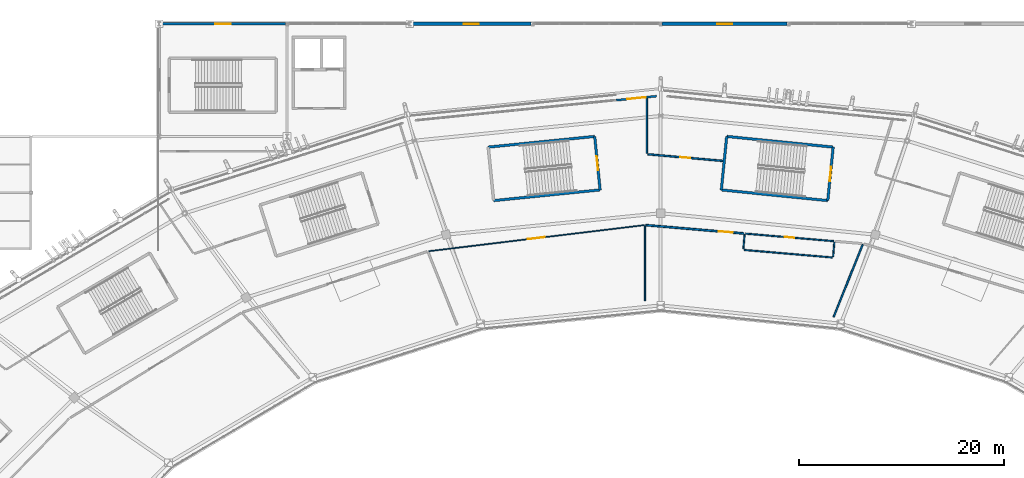
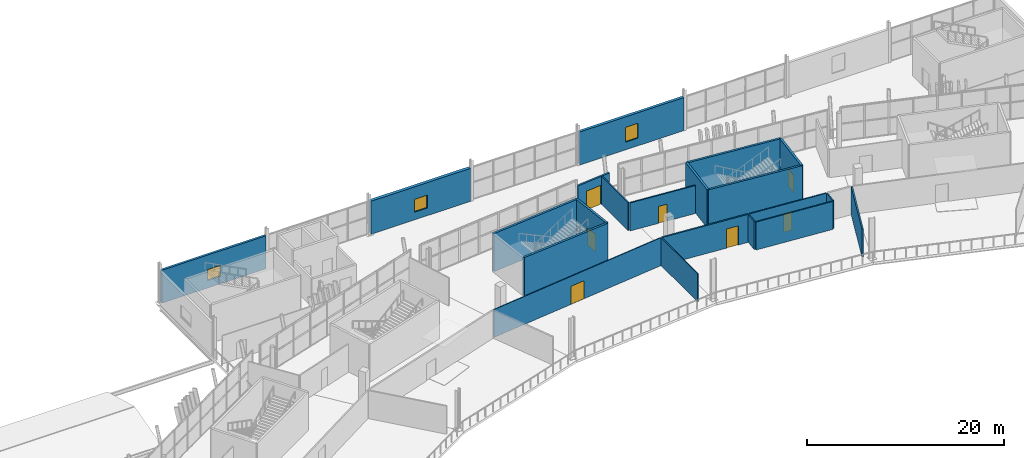
# One storey, part 134 of 179: 21 walls, 7 doors, 3 windows, 10 openings.
"""IFC4 building model written with IfcOpenShell, lengths in metres."""

from ifc_helpers import new_model, si_unit, direction, frame, frame_2d, origin, place, context, subcontext, project, spatial, rectangle, extrude, material, layer, layer_set, type_object, element, fill, save


model = new_model("IFC4")

# Units and contexts
model_context = context("Model", 3, precision=1e-05, world=origin(), true_north=direction((0.0, 1.0)))
body_context = subcontext(model_context, "Body", "Model", "MODEL_VIEW")
ifc_project = project(units=[si_unit("LENGTHUNIT", "METRE"), si_unit("AREAUNIT", "SQUARE_METRE"), si_unit("VOLUMEUNIT", "CUBIC_METRE"), si_unit("PLANEANGLEUNIT", "RADIAN"), si_unit("MASSUNIT", "GRAM", prefix="KILO")], contexts=[model_context])

# Site, building, storey
site_placement = place(None, origin())
site = spatial("IfcSite", under=ifc_project, at=site_placement, CompositionType="ELEMENT")
building_placement = place(site_placement, origin())
building = spatial("IfcBuilding", under=site, at=building_placement, Name="Zlatoyarsky Gate Stadium", CompositionType="ELEMENT")
storey_placement = place(building_placement, frame((0.0, 0.0, 10.60009765625)))
storey = spatial("IfcBuildingStorey", under=building, at=storey_placement, Name="L02", CompositionType="ELEMENT", Elevation=10.60009765625)

# Wall
ifc_material_1 = material(Name="Anodised aluminium acoustic operable wall", Category="aluminium")
ifc_layer_1 = layer(ifc_material_1, 0.114990234375)
ifc_layer_set_1 = layer_set([ifc_layer_1], Name="Anodised aluminium acoustic operable wall")
wall_type_1 = type_object("IfcWallType", Name="ACOUSTIC OPERABLE SUITE WALL 115", PredefinedType="MOVABLE", material=ifc_layer_set_1)
wall_1_placement = place(storey_placement, frame((109.4580078125, 132.92822265625, 0.0), z_axis=(0.0, 0.0, 1.0), x_axis=(-3.329449e-05, 0.999999999446, 0.0)))
element("IfcWall", 1, at=wall_1_placement, inside=storey, type_object=wall_type_1, Name="L02 interior partition PRT-L02-IRD-06", PredefinedType="MOVABLE", context=body_context, shape_type="SweptSolid", body=[
    extrude(rectangle(XDim=7.332763671875, YDim=0.114990234375, at=frame_2d((3.66650390625, 0.0))), origin(), (0.0, 0.0, 1.0), 3.469970703125),
])

# Wall, opening, door
ifc_material_2 = material(Name="Gypsum-clad mineral wool fire partition", Category="gypsum")
ifc_layer_2 = layer(ifc_material_2, 0.199951171875)
ifc_layer_set_2 = layer_set([ifc_layer_2], Name="Gypsum-clad mineral wool fire partition")
wall_type_2 = type_object("IfcWallType", Name="COMPARTMENT FIRE PARTITION WALL 200", PredefinedType="PARTITIONING", material=ifc_layer_set_2)
wall_2_placement = place(storey_placement, frame((110.596923828125, 152.93505859375, 0.0), z_axis=(0.0, 0.0, 1.0), x_axis=(-0.994924851804, -0.100620769545, 0.0)))
wall_2 = element("IfcWall", 2, at=wall_2_placement, inside=storey, type_object=wall_type_2, Name="L02 interior partition PRT-PORTAL-L02-06", PredefinedType="PARTITIONING", context=body_context, shape_type="SweptSolid", body=[
    extrude(rectangle(XDim=3.959716796875, YDim=0.199951171875, at=frame_2d((1.97998046875, 0.0))), origin(), (0.0, 0.0, 1.0), 3.469970703125),
])
opening_1_placement = place(wall_2_placement, frame((1.070068359375, 0.0, 0.0)))
opening_1 = element("IfcOpeningElement", 3, at=opening_1_placement, cuts=wall_2, Name="Opening D-L02-714", PredefinedType="OPENING", context=body_context, shape_type="SweptSolid", body=[
    extrude(rectangle(XDim=1.820068359375, YDim=2.3798828125, at=frame_2d((0.91015625, 1.18994140625))), frame((0.0, 0.10986328125, 0.0), z_axis=(0.0, -1.0, 0.0), x_axis=(1.0, 0.0, 0.0)), (0.0, 0.0, 1.0), 0.219970703125),
])
ifc_material_3 = material(Name="Powder-coated steel fire door", Category="steel")
door_type_1 = type_object("IfcDoorType", Name="ACOUSTIC INTERIOR DOOR 1820X2380", OperationType="NOTDEFINED", PredefinedType="DOOR", material=ifc_material_3)
door_1_placement = place(opening_1_placement, origin())
door_1 = element("IfcDoor", 4, at=door_1_placement, inside=storey, type_object=door_type_1, Name="L02 room door D-L02-714", OperationType="SINGLE_SWING_RIGHT", OverallHeight=2.3798828125, OverallWidth=1.820068359375, PredefinedType="DOOR", context=body_context, shape_type="SweptSolid", body=[
    extrude(rectangle(XDim=1.820068359375, YDim=2.3798828125, at=frame_2d((0.91015625, 1.18994140625))), frame((0.0, 0.02490234375, 0.0), z_axis=(0.0, -1.0, 0.0), x_axis=(1.0, 0.0, 0.0)), (0.0, 0.0, 1.0), 0.050048828125),
])
fill(opening_1, door_1)

# Wall
ifc_material_4 = material(Name="Metal-stud gypsum partition", Category="gypsum")
ifc_layer_3 = layer(ifc_material_4, 0.14990234375)
ifc_layer_set_3 = layer_set([ifc_layer_3], Name="Metal-stud gypsum partition")
wall_type_3 = type_object("IfcWallType", Name="CONCOURSE CORRIDOR PARTITION 150", PredefinedType="PARTITIONING", material=ifc_layer_set_3)
wall_3_placement = place(storey_placement, frame((109.65673828125, 147.35009765625, 0.0), z_axis=(0.0, 0.0, 1.0), x_axis=(4.5171199e-05, 0.99999999898, 0.0)))
element("IfcWall", 5, at=wall_3_placement, inside=storey, type_object=wall_type_3, Name="L02 interior partition PRT-L02-ORD-05R", PredefinedType="PARTITIONING", context=body_context, shape_type="SweptSolid", body=[
    extrude(rectangle(XDim=5.40478515625, YDim=0.14990234375, at=frame_2d((2.702392578125, 0.0))), origin(), (0.0, 0.0, 1.0), 3.469970703125),
])

# Wall, opening, door
ifc_material_5 = material(Name="Concrete C40/50", Category="concrete")
ifc_layer_4 = layer(ifc_material_5, 0.25)
ifc_layer_set_4 = layer_set([ifc_layer_4], Name="Concrete C40/50")
wall_type_4 = type_object("IfcWallType", Name="CONCRETE STAIR CORE SHEAR WALL 250", PredefinedType="SHEAR", material=ifc_layer_set_4)
wall_4_placement = place(storey_placement, frame((105.07861328125, 143.779052734375, 0.0), z_axis=(0.0, 0.0, 1.0), x_axis=(-0.100028593886, 0.994984562898, 0.0)))
wall_4 = element("IfcWall", 6, at=wall_4_placement, inside=storey, type_object=wall_type_4, Name="ST-04 L02 stair core entrance shear wall", PredefinedType="SHEAR", context=body_context, shape_type="SweptSolid", body=[
    extrude(rectangle(XDim=5.25, YDim=0.25, at=frame_2d((2.625, 0.0))), origin(), (0.0, 0.0, 1.0), 4.719970703125),
])
opening_2_placement = place(wall_4_placement, frame((1.925048828125, 0.0, 0.0)))
opening_2 = element("IfcOpeningElement", 7, at=opening_2_placement, cuts=wall_4, Name="Opening SD-ST-04-L02", PredefinedType="OPENING", context=body_context, shape_type="SweptSolid", body=[
    extrude(rectangle(XDim=1.39990234375, YDim=2.199951171875, at=frame_2d((0.699951171875, 1.10009765625))), frame((0.0, 0.135009765625, 0.0), z_axis=(0.0, -1.0, 0.0), x_axis=(1.0, 0.0, 0.0)), (0.0, 0.0, 1.0), 0.27001953125),
])
door_type_2 = type_object("IfcDoorType", Name="STAIR CORE FIRE EXIT DOOR 1400X2200", OperationType="NOTDEFINED", PredefinedType="DOOR", material=ifc_material_3)
door_2_placement = place(opening_2_placement, frame((1.39990234375, 0.0, 0.0), z_axis=(0.0, 0.0, 1.0), x_axis=(-1.0, 0.0, 0.0)))
door_2 = element("IfcDoor", 8, at=door_2_placement, inside=storey, type_object=door_type_2, Name="ST-04 L02 stair fire door", OperationType="SINGLE_SWING_RIGHT", OverallHeight=2.199951171875, OverallWidth=1.39990234375, PredefinedType="DOOR", context=body_context, shape_type="SweptSolid", body=[
    extrude(rectangle(XDim=1.39990234375, YDim=2.199951171875, at=frame_2d((0.699951171875, 1.10009765625))), frame((0.0, 0.02490234375, 0.0), z_axis=(0.0, -1.0, 0.0), x_axis=(1.0, 0.0, 0.0)), (0.0, 0.0, 1.0), 0.050048828125),
])
fill(opening_2, door_2)

# Walls
for number, where, z_axis, x_axis, name in (
    (9, (104.553466796875, 149.002685546875, 0.0), (0.0, 0.0, 1.0), (-0.994985938948, -0.100014905366, 0.0), "ST-04 L02 stair core left shear wall"),
    (10, (94.680908203125, 142.73388671875, 0.0), (0.0, 0.0, 1.0), (0.994985938948, 0.100014905366, 0.0), "ST-04 L02 stair core right shear wall"),
):
    element("IfcWall", number, at=place(storey_placement, frame(where, z_axis=z_axis, x_axis=x_axis)), inside=storey, type_object=wall_type_4, Name=name, PredefinedType="SHEAR", context=body_context, shape_type="SweptSolid", body=[
        extrude(rectangle(XDim=10.4501953125, YDim=0.25, at=frame_2d((5.22509765625, 0.0))), origin(), (0.0, 0.0, 1.0), 4.719970703125),
    ])

# Wall, opening, door
wall_5_placement = place(storey_placement, frame((127.319091796875, 142.73388671875, 0.0), z_axis=(0.0, 0.0, 1.0), x_axis=(0.10002396577, 0.994985028165, 0.0)))
wall_5 = element("IfcWall", 11, at=wall_5_placement, inside=storey, type_object=wall_type_4, Name="ST-17 L02 stair core entrance shear wall", PredefinedType="SHEAR", context=body_context, shape_type="SweptSolid", body=[
    extrude(rectangle(XDim=5.250244140625, YDim=0.25, at=frame_2d((2.625, 0.0))), origin(), (0.0, 0.0, 1.0), 4.719970703125),
])
opening_3_placement = place(wall_5_placement, frame((1.925048828125, 0.0, 0.0)))
opening_3 = element("IfcOpeningElement", 12, at=opening_3_placement, cuts=wall_5, Name="Opening SD-ST-17-L02", PredefinedType="OPENING", context=body_context, shape_type="SweptSolid", body=[
    extrude(rectangle(XDim=1.39990234375, YDim=2.199951171875, at=frame_2d((0.699951171875, 1.10009765625))), frame((0.0, 0.135009765625, 0.0), z_axis=(0.0, -1.0, 0.0), x_axis=(1.0, 0.0, 0.0)), (0.0, 0.0, 1.0), 0.27001953125),
])
door_3_placement = place(opening_3_placement, frame((1.39990234375, 0.0, 0.0), z_axis=(0.0, 0.0, 1.0), x_axis=(-1.0, 0.0, 0.0)))
door_3 = element("IfcDoor", 13, at=door_3_placement, inside=storey, type_object=door_type_2, Name="ST-17 L02 stair fire door", OperationType="SINGLE_SWING_RIGHT", OverallHeight=2.199951171875, OverallWidth=1.39990234375, PredefinedType="DOOR", context=body_context, shape_type="SweptSolid", body=[
    extrude(rectangle(XDim=1.39990234375, YDim=2.199951171875, at=frame_2d((0.699951171875, 1.10009765625))), frame((0.0, 0.02490234375, 0.0), z_axis=(0.0, -1.0, 0.0), x_axis=(1.0, 0.0, 0.0)), (0.0, 0.0, 1.0), 0.050048828125),
])
fill(opening_3, door_3)

# Walls
wall_6_placement = place(storey_placement, frame((127.84423828125, 147.957763671875, 0.0), z_axis=(0.0, 0.0, 1.0), x_axis=(-0.994988263568, 0.09999177647, 0.0)))
element("IfcWall", 14, at=wall_6_placement, inside=storey, type_object=wall_type_4, Name="ST-17 L02 stair core left shear wall", PredefinedType="SHEAR", context=body_context, shape_type="SweptSolid", body=[
    extrude(rectangle(XDim=10.4501953125, YDim=0.25, at=frame_2d((5.22509765625, 0.0))), origin(), (0.0, 0.0, 1.0), 4.719970703125),
])
wall_7_placement = place(storey_placement, frame((117.446533203125, 149.002685546875, 0.0), z_axis=(0.0, 0.0, 1.0), x_axis=(-0.099982555566, -0.994989190184, 0.0)))
element("IfcWall", 15, at=wall_7_placement, inside=storey, type_object=wall_type_4, Name="ST-17 L02 stair core far shear wall", PredefinedType="SHEAR", context=body_context, shape_type="SweptSolid", body=[
    extrude(rectangle(XDim=5.25, YDim=0.25, at=frame_2d((2.625, 0.0))), origin(), (0.0, 0.0, 1.0), 4.719970703125),
])
wall_8_placement = place(storey_placement, frame((116.921630859375, 143.779052734375, 0.0), z_axis=(0.0, 0.0, 1.0), x_axis=(0.994985705245, -0.100017230303, 0.0)))
element("IfcWall", 16, at=wall_8_placement, inside=storey, type_object=wall_type_4, Name="ST-17 L02 stair core right shear wall", PredefinedType="SHEAR", context=body_context, shape_type="SweptSolid", body=[
    extrude(rectangle(XDim=10.449951171875, YDim=0.25, at=frame_2d((5.22509765625, 0.0))), origin(), (0.0, 0.0, 1.0), 4.719970703125),
])

# Wall, opening, door
ifc_material_6 = material(Name="Timber-veneered acoustic operable partition", Category="wood")
ifc_layer_5 = layer(ifc_material_6, 0.094970703125)
ifc_layer_set_5 = layer_set([ifc_layer_5], Name="Timber-veneered acoustic operable partition")
wall_type_5 = type_object("IfcWallType", Name="FOLDING BANQUET SALON WALL 95", PredefinedType="MOVABLE", material=ifc_layer_set_5)
wall_9_placement = place(storey_placement, frame((109.373291015625, 140.3359375, 0.0), z_axis=(0.0, 0.0, 1.0), x_axis=(-0.99275686383, -0.120140789568, 0.0)))
wall_9 = element("IfcWall", 17, at=wall_9_placement, inside=storey, type_object=wall_type_5, Name="L02 interior partition PRT-L02-ICC-06", PredefinedType="MOVABLE", context=body_context, shape_type="SweptSolid", body=[
    extrude(rectangle(XDim=21.195068359375, YDim=0.094970703125, at=frame_2d((10.59765625, 0.0))), origin(), (0.0, 0.0, 1.0), 3.469970703125),
])
opening_4_placement = place(wall_9_placement, frame((9.757568359375, 0.0, 0.0)))
opening_4 = element("IfcOpeningElement", 18, at=opening_4_placement, cuts=wall_9, Name="Opening D-L02-299", PredefinedType="OPENING", context=body_context, shape_type="SweptSolid", body=[
    extrude(rectangle(XDim=1.679931640625, YDim=2.239990234375, at=frame_2d((0.83984375, 1.1201171875))), frame((0.0, 0.057373046875, 0.0), z_axis=(0.0, -1.0, 0.0), x_axis=(1.0, 0.0, 0.0)), (0.0, 0.0, 1.0), 0.114990234375),
])
ifc_material_7 = material(Name="Solid-core oak veneer acoustic door", Category="wood")
door_type_3 = type_object("IfcDoorType", Name="ACOUSTIC INTERIOR DOOR 1680X2240", OperationType="NOTDEFINED", PredefinedType="DOOR", material=ifc_material_7)
door_4_placement = place(opening_4_placement, origin())
door_4 = element("IfcDoor", 19, at=door_4_placement, inside=storey, type_object=door_type_3, Name="L02 room door D-L02-299", OperationType="SINGLE_SWING_LEFT", OverallHeight=2.239990234375, OverallWidth=1.679931640625, PredefinedType="DOOR", context=body_context, shape_type="SweptSolid", body=[
    extrude(rectangle(XDim=1.679931640625, YDim=2.239990234375, at=frame_2d((0.83984375, 1.1201171875))), frame((0.0, 0.02490234375, 0.0), z_axis=(0.0, -1.0, 0.0), x_axis=(1.0, 0.0, 0.0)), (0.0, 0.0, 1.0), 0.050048828125),
])
fill(opening_4, door_4)

# Wall
ifc_material_8 = material(Name="Acoustic metal-stud gypsum partition", Category="gypsum")
ifc_layer_6 = layer(ifc_material_8, 0.159912109375)
ifc_layer_set_6 = layer_set([ifc_layer_6], Name="Acoustic metal-stud gypsum partition")
wall_type_6 = type_object("IfcWallType", Name="HOSPITALITY SUITE PARTITION 160", PredefinedType="PARTITIONING", material=ifc_layer_set_6)
wall_10_placement = place(storey_placement, frame((127.89111328125, 131.364013671875, 0.0), z_axis=(0.0, 0.0, 1.0), x_axis=(0.371556146789, 0.928410485606, 0.0)))
element("IfcWall", 20, at=wall_10_placement, inside=storey, type_object=wall_type_6, Name="L02 interior partition PRT-L02-IRD-05", PredefinedType="PARTITIONING", context=body_context, shape_type="SweptSolid", body=[
    extrude(rectangle(XDim=7.63134765625, YDim=0.159912109375, at=frame_2d((3.815673828125, 0.0))), origin(), (0.0, 0.0, 1.0), 3.469970703125),
])

# Wall, opening, door
wall_11_placement = place(storey_placement, frame((117.075439453125, 146.6103515625, 0.0), z_axis=(0.0, 0.0, 1.0), x_axis=(-0.996125750198, 0.087940262634, 0.0)))
wall_11 = element("IfcWall", 21, at=wall_11_placement, inside=storey, type_object=wall_type_6, Name="L02 interior partition PRT-L02-OCC-05-1", PredefinedType="PARTITIONING", context=body_context, shape_type="SweptSolid", body=[
    extrude(rectangle(XDim=7.362548828125, YDim=0.159912109375, at=frame_2d((3.68115234375, 0.0))), origin(), (0.0, 0.0, 1.0), 3.469970703125),
])
opening_5_placement = place(wall_11_placement, frame((3.201171875, 0.0, 0.0)))
opening_5 = element("IfcOpeningElement", 22, at=opening_5_placement, cuts=wall_11, Name="Opening D-L02-351", PredefinedType="OPENING", context=body_context, shape_type="SweptSolid", body=[
    extrude(rectangle(XDim=0.9599609375, YDim=2.10009765625, at=frame_2d((0.47998046875, 1.050048828125))), frame((0.0, 0.08984375, 0.0), z_axis=(0.0, -1.0, 0.0), x_axis=(1.0, 0.0, 0.0)), (0.0, 0.0, 1.0), 0.179931640625),
])
door_type_4 = type_object("IfcDoorType", Name="ACOUSTIC INTERIOR DOOR 960X2100", OperationType="NOTDEFINED", PredefinedType="DOOR", material=ifc_material_3)
door_5_placement = place(opening_5_placement, origin())
door_5 = element("IfcDoor", 23, at=door_5_placement, inside=storey, type_object=door_type_4, Name="L02 room door D-L02-351", OperationType="SINGLE_SWING_RIGHT", OverallHeight=2.10009765625, OverallWidth=0.9599609375, PredefinedType="DOOR", context=body_context, shape_type="SweptSolid", body=[
    extrude(rectangle(XDim=0.9599609375, YDim=2.10009765625, at=frame_2d((0.47998046875, 1.050048828125))), frame((0.0, 0.02490234375, 0.0), z_axis=(0.0, -1.0, 0.0), x_axis=(1.0, 0.0, 0.0)), (0.0, 0.0, 1.0), 0.050048828125),
])
fill(opening_5, door_5)

# Wall, opening, window
ifc_material_9 = material(Name="Limestone-faced insulated masonry wall", Category="masonry")
ifc_layer_7 = layer(ifc_material_9, 0.360107421875)
ifc_layer_set_7 = layer_set([ifc_layer_7], Name="Limestone-faced insulated masonry wall")
wall_type_7 = type_object("IfcWallType", Name="LIMESTONE CLAD CAVITY WALL 360", PredefinedType="STANDARD", material=ifc_layer_set_7)
wall_12_placement = place(storey_placement, frame((86.64697265625, 160.0, 0.0), z_axis=(0.0, 0.0, 1.0), x_axis=(1.0, 0.0, 0.0)))
wall_12 = element("IfcWall", 24, at=wall_12_placement, inside=storey, type_object=wall_type_7, Name="V2_NORTH L02 N exterior wall", PredefinedType="STANDARD", context=body_context, shape_type="SweptSolid", body=[
    extrude(rectangle(XDim=11.7060546875, YDim=0.360107421875, at=frame_2d((5.85302734375, 0.0))), origin(), (0.0, 0.0, 1.0), 4.099853515625),
])
opening_6_placement = place(wall_12_placement, frame((5.10302734375, 0.0, 0.949951171875)))
opening_6 = element("IfcOpeningElement", 25, at=opening_6_placement, cuts=wall_12, Name="Opening WN-06", PredefinedType="OPENING", context=body_context, shape_type="SweptSolid", body=[
    extrude(rectangle(XDim=1.5, YDim=1.60009765625, at=frame_2d((0.75, 0.800048828125))), frame((0.0, 0.18994140625, 0.0), z_axis=(0.0, -1.0, 0.0), x_axis=(1.0, 0.0, 0.0)), (0.0, 0.0, 1.0), 0.380126953125),
])
ifc_material_10 = material(Name="Triple-glazed thermally broken aluminium window", Category="aluminium")
window_type_1 = type_object("IfcWindowType", Name="TRIPLE GLAZED ALUMINIUM WINDOW 1500X1600", PartitioningType="SINGLE_PANEL", PredefinedType="WINDOW", material=ifc_material_10)
window_1_placement = place(opening_6_placement, origin())
window_1 = element("IfcWindow", 26, at=window_1_placement, inside=storey, type_object=window_type_1, Name="Exterior window WIN-L02-006", OverallHeight=1.60009765625, OverallWidth=1.5, PartitioningType="SINGLE_PANEL", PredefinedType="WINDOW", context=body_context, shape_type="SweptSolid", body=[
    extrude(rectangle(XDim=1.5, YDim=1.60009765625, at=frame_2d((0.75, 0.800048828125))), frame((0.0, 0.030029296875, 0.0), z_axis=(0.0, -1.0, 0.0), x_axis=(1.0, 0.0, 0.0)), (0.0, 0.0, 1.0), 0.06005859375),
])
fill(opening_6, window_1)

# Wall, opening, door
ifc_layer_8 = layer(ifc_material_2, 0.179931640625)
ifc_layer_set_8 = layer_set([ifc_layer_8], Name="Gypsum-clad mineral wool fire partition")
wall_type_8 = type_object("IfcWallType", Name="PLANT AND KITCHEN RATED WALL 180", PredefinedType="PARTITIONING", material=ifc_layer_set_8)
wall_13_placement = place(storey_placement, frame((119.115478515625, 139.521728515625, 0.0), z_axis=(0.0, 0.0, 1.0), x_axis=(-0.996376733789, 0.08504942307, 0.0)))
wall_13 = element("IfcWall", 27, at=wall_13_placement, inside=storey, type_object=wall_type_8, Name="L02 interior partition PRT-L02-ICC-05", PredefinedType="PARTITIONING", context=body_context, shape_type="SweptSolid", body=[
    extrude(rectangle(XDim=9.60791015625, YDim=0.179931640625, at=frame_2d((4.803955078125, 0.0))), origin(), (0.0, 0.0, 1.0), 3.469970703125),
])
opening_7_placement = place(wall_13_placement, frame((1.10009765625, 0.0, 0.0)))
opening_7 = element("IfcOpeningElement", 28, at=opening_7_placement, cuts=wall_13, Name="Opening D-L02-297", PredefinedType="OPENING", context=body_context, shape_type="SweptSolid", body=[
    extrude(rectangle(XDim=1.340087890625, YDim=2.3798828125, at=frame_2d((0.669921875, 1.18994140625))), frame((0.0, 0.099853515625, 0.0), z_axis=(0.0, -1.0, 0.0), x_axis=(1.0, 0.0, 0.0)), (0.0, 0.0, 1.0), 0.199951171875),
])
door_type_5 = type_object("IfcDoorType", Name="ACOUSTIC INTERIOR DOOR 1340X2380", OperationType="NOTDEFINED", PredefinedType="DOOR", material=ifc_material_3)
door_6_placement = place(opening_7_placement, origin())
door_6 = element("IfcDoor", 29, at=door_6_placement, inside=storey, type_object=door_type_5, Name="L02 room door D-L02-297", OperationType="SINGLE_SWING_RIGHT", OverallHeight=2.3798828125, OverallWidth=1.340087890625, PredefinedType="DOOR", context=body_context, shape_type="SweptSolid", body=[
    extrude(rectangle(XDim=1.340087890625, YDim=2.3798828125, at=frame_2d((0.669921875, 1.18994140625))), frame((0.0, 0.02490234375, 0.0), z_axis=(0.0, -1.0, 0.0), x_axis=(1.0, 0.0, 0.0)), (0.0, 0.0, 1.0), 0.050048828125),
])
fill(opening_7, door_6)

# Wall, opening, window
ifc_layer_9 = layer(ifc_material_9, 0.260009765625)
ifc_layer_set_9 = layer_set([ifc_layer_9], Name="Limestone-faced insulated masonry wall")
wall_type_9 = type_object("IfcWallType", Name="PORTICO COLONNADE PLINTH WALL 260", PredefinedType="STANDARD", material=ifc_layer_set_9)
wall_14_placement = place(storey_placement, frame((62.14697265625, 160.0, 0.0), z_axis=(0.0, 0.0, 1.0), x_axis=(1.0, 0.0, 0.0)))
wall_14 = element("IfcWall", 30, at=wall_14_placement, inside=storey, type_object=wall_type_9, Name="V2_NORTH L02 N exterior wall", PredefinedType="STANDARD", context=body_context, shape_type="SweptSolid", body=[
    extrude(rectangle(XDim=12.2060546875, YDim=0.260009765625, at=frame_2d((6.10302734375, 0.0))), origin(), (0.0, 0.0, 1.0), 4.099853515625),
])
opening_8_placement = place(wall_14_placement, frame((5.35302734375, 0.0, 0.949951171875)))
opening_8 = element("IfcOpeningElement", 31, at=opening_8_placement, cuts=wall_14, Name="Opening WN-05", PredefinedType="OPENING", context=body_context, shape_type="SweptSolid", body=[
    extrude(rectangle(XDim=1.5, YDim=1.35009765625, at=frame_2d((0.75, 0.675048828125))), frame((0.0, 0.139892578125, 0.0), z_axis=(0.0, -1.0, 0.0), x_axis=(1.0, 0.0, 0.0)), (0.0, 0.0, 1.0), 0.280029296875),
])
window_type_2 = type_object("IfcWindowType", Name="TRIPLE GLAZED ALUMINIUM WINDOW 1500X1350", PartitioningType="SINGLE_PANEL", PredefinedType="WINDOW", material=ifc_material_10)
window_2_placement = place(opening_8_placement, origin())
window_2 = element("IfcWindow", 32, at=window_2_placement, inside=storey, type_object=window_type_2, Name="Exterior window WIN-L02-005", OverallHeight=1.35009765625, OverallWidth=1.5, PartitioningType="SINGLE_PANEL", PredefinedType="WINDOW", context=body_context, shape_type="SweptSolid", body=[
    extrude(rectangle(XDim=1.5, YDim=1.35009765625, at=frame_2d((0.75, 0.675048828125))), frame((0.0, 0.030029296875, 0.0), z_axis=(0.0, -1.0, 0.0), x_axis=(1.0, 0.0, 0.0)), (0.0, 0.0, 1.0), 0.06005859375),
])
fill(opening_8, window_2)

ifc_material_11 = material(Name="Precast concrete C40/50 architectural panel", Category="concrete")
ifc_layer_10 = layer(ifc_material_11, 0.320068359375)
ifc_layer_set_10 = layer_set([ifc_layer_10], Name="Precast concrete C40/50 architectural panel")
wall_type_10 = type_object("IfcWallType", Name="PRECAST TERRACOTTA FACADE WALL 320", PredefinedType="STANDARD", material=ifc_layer_set_10)
wall_15_placement = place(storey_placement, frame((111.14697265625, 160.0, 0.0), z_axis=(0.0, 0.0, 1.0), x_axis=(1.0, 0.0, 0.0)))
wall_15 = element("IfcWall", 33, at=wall_15_placement, inside=storey, type_object=wall_type_10, Name="V2_NORTH L02 N exterior wall", PredefinedType="STANDARD", context=body_context, shape_type="SweptSolid", body=[
    extrude(rectangle(XDim=12.2060546875, YDim=0.320068359375, at=frame_2d((6.10302734375, 0.0))), origin(), (0.0, 0.0, 1.0), 4.099853515625),
])
opening_9_placement = place(wall_15_placement, frame((5.35302734375, 0.0, 0.949951171875)))
opening_9 = element("IfcOpeningElement", 34, at=opening_9_placement, cuts=wall_15, Name="Opening WN-07", PredefinedType="OPENING", context=body_context, shape_type="SweptSolid", body=[
    extrude(rectangle(XDim=1.5, YDim=1.85009765625, at=frame_2d((0.75, 0.925048828125))), frame((0.0, 0.169921875, 0.0), z_axis=(0.0, -1.0, 0.0), x_axis=(1.0, 0.0, 0.0)), (0.0, 0.0, 1.0), 0.340087890625),
])
window_type_3 = type_object("IfcWindowType", Name="TRIPLE GLAZED ALUMINIUM WINDOW 1500X1850", PartitioningType="SINGLE_PANEL", PredefinedType="WINDOW", material=ifc_material_10)
window_3_placement = place(opening_9_placement, origin())
window_3 = element("IfcWindow", 35, at=window_3_placement, inside=storey, type_object=window_type_3, Name="Exterior window WIN-L02-007", OverallHeight=1.85009765625, OverallWidth=1.5, PartitioningType="SINGLE_PANEL", PredefinedType="WINDOW", context=body_context, shape_type="SweptSolid", body=[
    extrude(rectangle(XDim=1.5, YDim=1.85009765625, at=frame_2d((0.75, 0.925048828125))), frame((0.0, 0.030029296875, 0.0), z_axis=(0.0, -1.0, 0.0), x_axis=(1.0, 0.0, 0.0)), (0.0, 0.0, 1.0), 0.06005859375),
])
fill(opening_9, window_3)

# Wall, opening, door
ifc_material_12 = material(Name="Moisture-resistant tile-backed partition", Category="gypsum")
ifc_layer_11 = layer(ifc_material_12, 0.1298828125)
ifc_layer_set_11 = layer_set([ifc_layer_11], Name="Moisture-resistant tile-backed partition")
wall_type_11 = type_object("IfcWallType", Name="SANITARY WET ROOM PARTITION 130", PredefinedType="PARTITIONING", material=ifc_layer_set_11)
wall_16_placement = place(storey_placement, frame((127.883544921875, 138.773193359375, 0.0), z_axis=(0.0, 0.0, 1.0), x_axis=(-0.996375135615, 0.085068144032, 0.0)))
wall_16 = element("IfcWall", 36, at=wall_16_placement, inside=storey, type_object=wall_type_11, Name="L02 interior partition PRT-L02-WC05-F", PredefinedType="PARTITIONING", context=body_context, shape_type="SweptSolid", body=[
    extrude(rectangle(XDim=8.6298828125, YDim=0.1298828125, at=frame_2d((4.31494140625, 0.0))), origin(), (0.0, 0.0, 1.0), 3.469970703125),
])
opening_10_placement = place(wall_16_placement, frame((3.8349609375, 0.0, 0.0)))
opening_10 = element("IfcOpeningElement", 37, at=opening_10_placement, cuts=wall_16, Name="Opening D-L02-292", PredefinedType="OPENING", context=body_context, shape_type="SweptSolid", body=[
    extrude(rectangle(XDim=0.9599609375, YDim=2.239990234375, at=frame_2d((0.47998046875, 1.1201171875))), frame((0.0, 0.074951171875, 0.0), z_axis=(0.0, -1.0, 0.0), x_axis=(1.0, 0.0, 0.0)), (0.0, 0.0, 1.0), 0.14990234375),
])
door_type_6 = type_object("IfcDoorType", Name="ACOUSTIC INTERIOR DOOR 960X2240", OperationType="NOTDEFINED", PredefinedType="DOOR", material=ifc_material_7)
door_7_placement = place(opening_10_placement, origin())
door_7 = element("IfcDoor", 38, at=door_7_placement, inside=storey, type_object=door_type_6, Name="L02 room door D-L02-292", OperationType="SINGLE_SWING_LEFT", OverallHeight=2.239990234375, OverallWidth=0.9599609375, PredefinedType="DOOR", context=body_context, shape_type="SweptSolid", body=[
    extrude(rectangle(XDim=0.9599609375, YDim=2.239990234375, at=frame_2d((0.47998046875, 1.1201171875))), frame((0.0, 0.02490234375, 0.0), z_axis=(0.0, -1.0, 0.0), x_axis=(1.0, 0.0, 0.0)), (0.0, 0.0, 1.0), 0.050048828125),
])
fill(opening_10, door_7)

# Walls
wall_17_placement = place(storey_placement, frame((127.74755859375, 137.178955078125, 0.0), z_axis=(0.0, 0.0, 1.0), x_axis=(-0.996375135615, 0.085068144032, 0.0)))
element("IfcWall", 39, at=wall_17_placement, inside=storey, type_object=wall_type_11, Name="L02 interior partition PRT-L02-WC05-B", PredefinedType="PARTITIONING", context=body_context, shape_type="SweptSolid", body=[
    extrude(rectangle(XDim=8.6298828125, YDim=0.1298828125, at=frame_2d((4.31494140625, 0.0))), origin(), (0.0, 0.0, 1.0), 3.469970703125),
])
for number, where, z_axis, x_axis, name in (
    (40, (127.961181640625, 138.681396484375, 0.0), (0.0, 0.0, 1.0), (-0.085023426718, -0.996378952462, 0.0), "L02 interior partition PRT-L02-WC05-L"),
    (41, (119.193115234375, 139.4296875, 0.0), (0.0, 0.0, 1.0), (-0.085192918595, -0.996364474789, 0.0), "L02 interior partition PRT-L02-WC05-R"),
):
    element("IfcWall", number, at=place(storey_placement, frame(where, z_axis=z_axis, x_axis=x_axis)), inside=storey, type_object=wall_type_11, Name=name, PredefinedType="PARTITIONING", context=body_context, shape_type="SweptSolid", body=[
        extrude(rectangle(XDim=1.429931640625, YDim=0.1298828125, at=frame_2d((0.71484375, 0.0))), origin(), (0.0, 0.0, 1.0), 3.469970703125),
    ])

save(model, "model.ifc")
